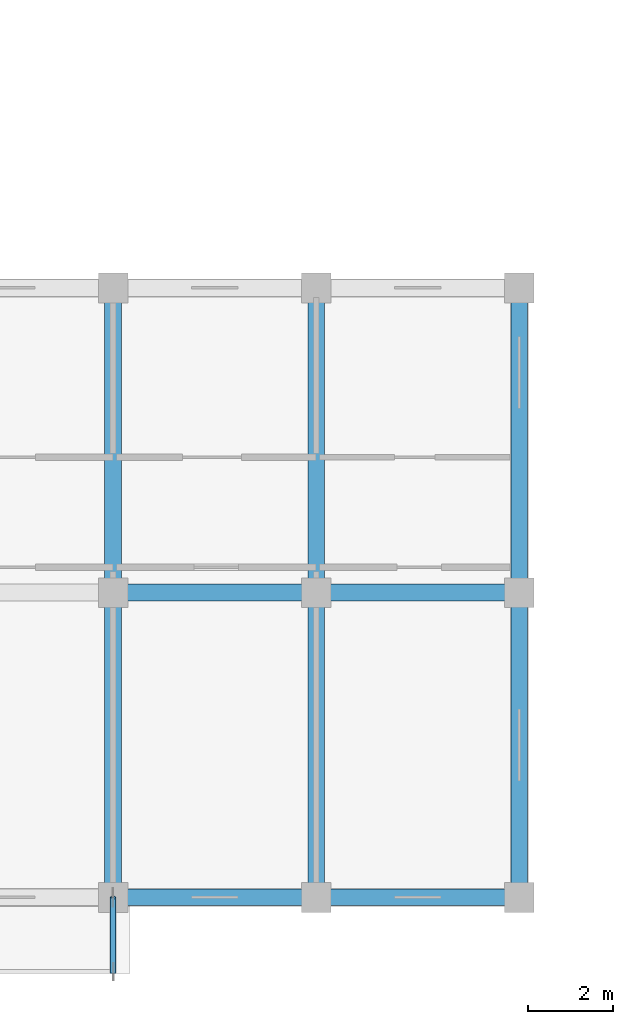
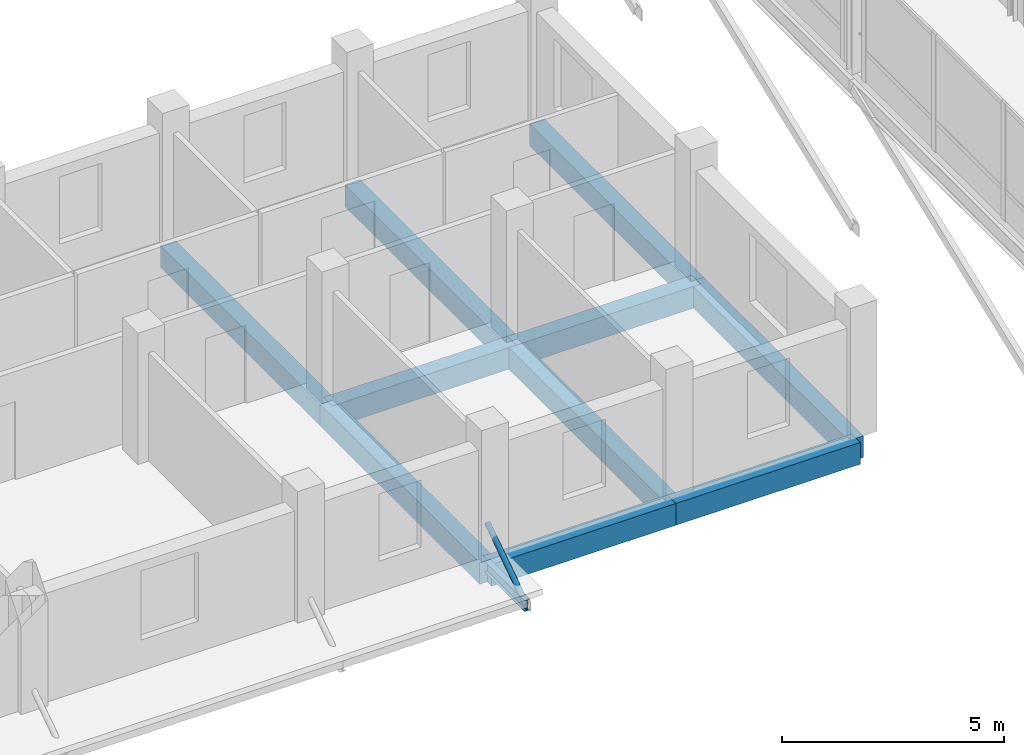
# One storey, part 16 of 128: 11 beams, 1 member.
"""IFC4 building model written with IfcOpenShell, lengths in metres."""

from ifc_helpers import new_model, si_unit, direction, frame, origin, origin_2d, place, context, subcontext, project, spatial, rectangle, hollow_circle, i_section, extrude, material, material_profile, profile_set, type_object, element, save


model = new_model("IFC4")

# Units and contexts
model_context = context("Model", 3, precision=1e-05, world=origin(), true_north=direction((0.0, 1.0)))
body_context = subcontext(model_context, "Body", "Model", "MODEL_VIEW")
ifc_project = project(units=[si_unit("LENGTHUNIT", "METRE"), si_unit("AREAUNIT", "SQUARE_METRE"), si_unit("VOLUMEUNIT", "CUBIC_METRE"), si_unit("PLANEANGLEUNIT", "RADIAN"), si_unit("MASSUNIT", "GRAM", prefix="KILO")], contexts=[model_context])

# Site, building, storey
site_placement = place(None, origin())
site = spatial("IfcSite", under=ifc_project, at=site_placement, CompositionType="ELEMENT")
building_placement = place(site_placement, origin())
building = spatial("IfcBuilding", under=site, at=building_placement, Name="Zornivar Specialist Clinic", CompositionType="ELEMENT")
storey_placement = place(building_placement, frame((0.0, 0.0, 4.5)))
storey = spatial("IfcBuildingStorey", under=building, at=storey_placement, Name="L01", CompositionType="ELEMENT", Elevation=4.5)

# Beams
ifc_material_1 = material(Name="Concrete C30/37", Category="concrete")
ifc_material_profile_1 = material_profile(ifc_material_1, rectangle(XDim=0.39990234375, YDim=0.60009765625, at=origin_2d()), Name="RC 400x600")
ifc_profile_set_1 = profile_set([ifc_material_profile_1], Name="Concrete C30/37")
beam_type_1 = type_object("IfcBeamType", Name="BM-RC-400x600", PredefinedType="BEAM", material=ifc_profile_set_1)
beam_1_placement = place(storey_placement, frame((33.60009765625, 7.199951171875, -0.580078125), z_axis=(1.0, 0.0, 0.0), x_axis=(0.0, 1.0, 0.0)))
element("IfcBeam", 1, at=beam_1_placement, inside=storey, type_object=beam_type_1, Name="bm:V2:L01:x:72:5", PredefinedType="BEAM", context=body_context, shape_type="SweptSolid", body=[
    extrude(rectangle(XDim=0.39990234375, YDim=0.60009765625, at=origin_2d()), origin(), (0.0, 0.0, 1.0), 4.7998046875),
])
beam_2_placement = place(storey_placement, frame((38.39990234375, 7.199951171875, -0.580078125), z_axis=(1.0, 0.0, 0.0), x_axis=(0.0, 1.0, 0.0)))
element("IfcBeam", 2, at=beam_2_placement, inside=storey, type_object=beam_type_1, Name="bm:V2:L01:x:72:6", PredefinedType="BEAM", context=body_context, shape_type="SweptSolid", body=[
    extrude(rectangle(XDim=0.39990234375, YDim=0.60009765625, at=origin_2d()), origin(), (0.0, 0.0, 1.0), 4.800048828125),
])
for number, where, z_axis, x_axis, name in (
    (3, (33.60009765625, 0.0, -0.580078125), (0.0, 1.0, 0.0), (-1.0, 0.0, 0.0), "bm:V2:L01:y:336:0"),
    (4, (33.60009765625, 7.199951171875, -0.580078125), (0.0, 1.0, 0.0), (-1.0, 0.0, 0.0), "bm:V2:L01:y:336:1"),
    (5, (38.39990234375, 0.0, -0.580078125), (0.0, 1.0, 0.0), (-1.0, 0.0, 0.0), "bm:V2:L01:y:384:0"),
    (6, (38.39990234375, 7.199951171875, -0.580078125), (0.0, 1.0, 0.0), (-1.0, 0.0, 0.0), "bm:V2:L01:y:384:1"),
):
    element("IfcBeam", number, at=place(storey_placement, frame(where, z_axis=z_axis, x_axis=x_axis)), inside=storey, type_object=beam_type_1, Name=name, PredefinedType="BEAM", context=body_context, shape_type="SweptSolid", body=[
        extrude(rectangle(XDim=0.39990234375, YDim=0.60009765625, at=origin_2d()), origin(), (0.0, 0.0, 1.0), 7.199951171875),
    ])
ifc_material_2 = material(Name="Concrete C30/37", Category="concrete")
ifc_material_profile_2 = material_profile(ifc_material_2, rectangle(XDim=0.389892578125, YDim=0.60009765625, at=origin_2d()), Name="RC 390x600")
ifc_profile_set_2 = profile_set([ifc_material_profile_2], Name="Concrete C30/37")
beam_type_2 = type_object("IfcBeamType", Name="BM-RC-SPANDREL-390x600", PredefinedType="SPANDREL", material=ifc_profile_set_2)
beam_3_placement = place(storey_placement, frame((33.60009765625, 0.0, -0.580078125), z_axis=(1.0, 0.0, 0.0), x_axis=(0.0, 1.0, 0.0)))
element("IfcBeam", 7, at=beam_3_placement, inside=storey, type_object=beam_type_2, Name="bm:V2:L01:x:0:5", PredefinedType="SPANDREL", context=body_context, shape_type="SweptSolid", body=[
    extrude(rectangle(XDim=0.389892578125, YDim=0.60009765625, at=origin_2d()), origin(), (0.0, 0.0, 1.0), 4.7998046875),
])
beam_4_placement = place(storey_placement, frame((38.39990234375, 0.0, -0.580078125), z_axis=(1.0, 0.0, 0.0), x_axis=(0.0, 1.0, 0.0)))
element("IfcBeam", 8, at=beam_4_placement, inside=storey, type_object=beam_type_2, Name="bm:V2:L01:x:0:6", PredefinedType="SPANDREL", context=body_context, shape_type="SweptSolid", body=[
    extrude(rectangle(XDim=0.389892578125, YDim=0.60009765625, at=origin_2d()), origin(), (0.0, 0.0, 1.0), 4.800048828125),
])
for number, where, z_axis, x_axis, name in (
    (9, (43.199951171875, 0.0, -0.580078125), (0.0, 1.0, 0.0), (-1.0, 0.0, 0.0), "bm:V2:L01:y:432:0"),
    (10, (43.199951171875, 7.199951171875, -0.580078125), (0.0, 1.0, 0.0), (-1.0, 0.0, 0.0), "bm:V2:L01:y:432:1"),
):
    element("IfcBeam", number, at=place(storey_placement, frame(where, z_axis=z_axis, x_axis=x_axis)), inside=storey, type_object=beam_type_2, Name=name, PredefinedType="SPANDREL", context=body_context, shape_type="SweptSolid", body=[
        extrude(rectangle(XDim=0.389892578125, YDim=0.60009765625, at=origin_2d()), origin(), (0.0, 0.0, 1.0), 7.199951171875),
    ])
ifc_material_3 = material(Name="Steel S355J2", Category="steel")
ifc_material_profile_3 = material_profile(ifc_material_3, i_section(OverallWidth=0.14990234375, OverallDepth=0.300048828125, WebThickness=0.007080078125, FlangeThickness=0.0107421875, FilletRadius=0.014892578125, at=origin_2d()), Name="IPE 300")
ifc_profile_set_3 = profile_set([ifc_material_profile_3], Name="Steel S355J2")
beam_type_3 = type_object("IfcBeamType", Name="BM-STL-IPE300", PredefinedType="JOIST", material=ifc_profile_set_3)
beam_5_placement = place(storey_placement, frame((33.60009765625, 0.0, -0.429931640625), z_axis=(0.0, -1.0, 0.0), x_axis=(1.0, 0.0, 0.0)))
element("IfcBeam", 11, at=beam_5_placement, inside=storey, type_object=beam_type_3, Name="bm:CAN:L01:cant:336", PredefinedType="JOIST", context=body_context, shape_type="SweptSolid", body=[
    extrude(i_section(OverallWidth=0.14990234375, OverallDepth=0.300048828125, WebThickness=0.007080078125, FlangeThickness=0.0107421875, FilletRadius=0.014892578125, at=origin_2d()), origin(), (0.0, 0.0, 1.0), 1.800048828125),
])

# Member
ifc_material_4 = material(Name="Steel S355J2", Category="steel")
ifc_material_profile_4 = material_profile(ifc_material_4, hollow_circle(Radius=0.06982421875, WallThickness=0.008056640625, at=origin_2d()), Name="CHS 139.7x8")
ifc_profile_set_4 = profile_set([ifc_material_profile_4], Name="Steel S355J2")
member_type = type_object("IfcMemberType", Name="MEM-CANOPY-TIE", PredefinedType="USERDEFINED", material=ifc_profile_set_4)
member_placement = place(storey_placement, frame((33.60009765625, 0.0, 0.75), z_axis=(0.0, -0.829138215282, -0.559043665521), x_axis=(1.0, 0.0, 0.0)))
element("IfcMember", 12, at=member_placement, inside=storey, type_object=member_type, Name="mem:CAN:L01:tie:336", ObjectType="TIE ROD", PredefinedType="USERDEFINED", context=body_context, shape_type="SweptSolid", body=[
    extrude(hollow_circle(Radius=0.06982421875, WallThickness=0.008056640625, at=origin_2d()), origin(), (0.0, 0.0, 1.0), 2.110595703125),
])

save(model, "model.ifc")
